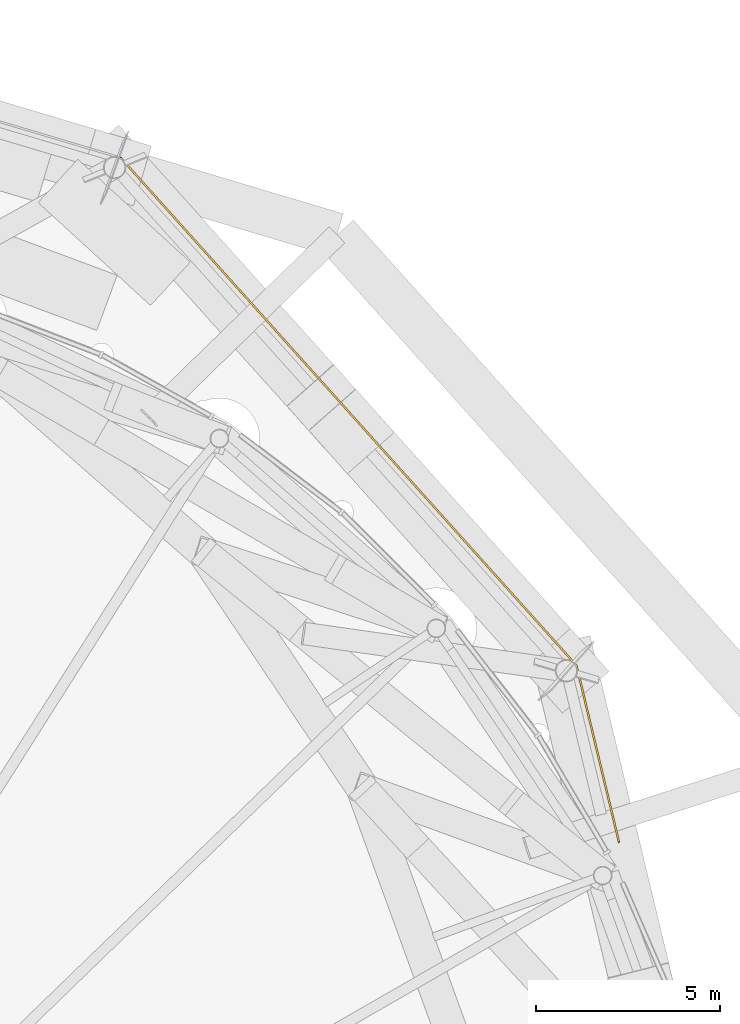
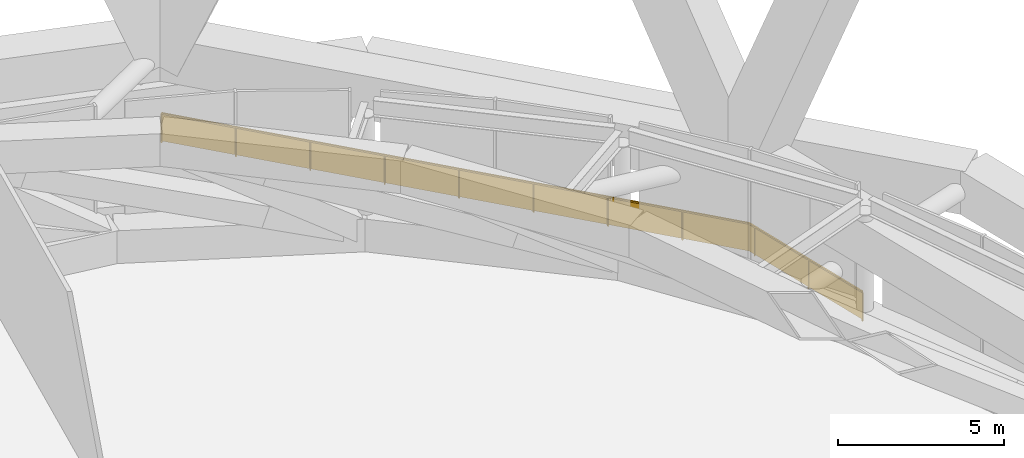
# One storey, part 50 of 51: 1 railing.
"""IFC4 building model written with IfcOpenShell, lengths in metres."""

from ifc_helpers import new_model, si_unit, direction, frame, origin, origin_2d, place, context, subcontext, project, spatial, polyline, rectangle, outline, extrude, material, type_object, element, save


model = new_model("IFC4")

# Units and contexts
model_context = context("Model", 3, precision=1e-05, world=origin(), true_north=direction((0.0, 1.0)))
body_context = subcontext(model_context, "Body", "Model", "MODEL_VIEW")
ifc_project = project(units=[si_unit("LENGTHUNIT", "METRE"), si_unit("AREAUNIT", "SQUARE_METRE"), si_unit("VOLUMEUNIT", "CUBIC_METRE"), si_unit("PLANEANGLEUNIT", "RADIAN"), si_unit("MASSUNIT", "GRAM", prefix="KILO")], contexts=[model_context])

# Site, building, storey
site_placement = place(None, origin())
site = spatial("IfcSite", under=ifc_project, at=site_placement, CompositionType="ELEMENT")
building_placement = place(site_placement, origin())
building = spatial("IfcBuilding", under=site, at=building_placement, Name="Nagisa Residences", CompositionType="ELEMENT")
storey_placement = place(building_placement, frame((0.0, 0.0, 67.699951171875)))
storey = spatial("IfcBuildingStorey", under=building, at=storey_placement, Name="L16", CompositionType="ELEMENT", Elevation=67.699951171875)

# Railing
ifc_material = material(Name="Stainless steel 316", Category="steel")
railing_type = type_object("IfcRailingType", Name="ROOF GUARD 1100", PredefinedType="GUARDRAIL", material=ifc_material)
railing_placement = place(storey_placement, frame((15.164306640625, 35.783447265625, 0.0)))
element("IfcRailing", 1, at=railing_placement, inside=storey, type_object=railing_type, Name="guard:L16:deck00-1", PredefinedType="GUARDRAIL", context=body_context, shape_type="SweptSolid", body=[
    extrude(outline(polyline([(12.4267578125, -13.80224609375), (0.0185546875, 0.0166015625), (-0.0185546875, -0.0166015625), (12.380859375, -13.826171875), (13.535888671875, -18.627685546875), (13.584716796875, -18.615966796875), (12.4267578125, -13.80224609375)])), frame((0.0, 0.0, 1.050048828125)), (0.0, 0.0, 1.0), 0.050048828125),
    extrude(outline(polyline([(12.41015625, -13.810791015625), (0.005126953125, 0.004638671875), (-0.005126953125, -0.004638671875), (12.3974609375, -13.817626953125), (13.553466796875, -18.62353515625), (13.567138671875, -18.6201171875), (12.41015625, -13.810791015625)])), frame((0.0, 0.0, 0.06005859375)), (0.0, 0.0, 1.0), 0.989990234375),
    extrude(rectangle(XDim=0.0400390625, YDim=0.0400390625, at=origin_2d()), origin(), (0.0, 0.0, 1.0), 1.050048828125),
    extrude(rectangle(XDim=0.0400390625, YDim=0.0400390625, at=origin_2d()), frame((1.57080078125, -1.749267578125, 0.0)), (0.0, 0.0, 1.0), 1.050048828125),
    extrude(rectangle(XDim=0.0400390625, YDim=0.0400390625, at=origin_2d()), frame((3.1416015625, -3.498779296875, 0.0)), (0.0, 0.0, 1.0), 1.050048828125),
    extrude(rectangle(XDim=0.0400390625, YDim=0.0400390625, at=origin_2d()), frame((4.712158203125, -5.248046875, 0.0)), (0.0, 0.0, 1.0), 1.050048828125),
    extrude(rectangle(XDim=0.0400390625, YDim=0.0400390625, at=origin_2d()), frame((6.282958984375, -6.997314453125, 0.0)), (0.0, 0.0, 1.0), 1.050048828125),
    extrude(rectangle(XDim=0.0400390625, YDim=0.0400390625, at=origin_2d()), frame((7.853759765625, -8.746826171875, 0.0)), (0.0, 0.0, 1.0), 1.050048828125),
    extrude(rectangle(XDim=0.0400390625, YDim=0.0400390625, at=origin_2d()), frame((9.424560546875, -10.49609375, 0.0)), (0.0, 0.0, 1.0), 1.050048828125),
    extrude(rectangle(XDim=0.0400390625, YDim=0.0400390625, at=origin_2d()), frame((10.9951171875, -12.245361328125, 0.0)), (0.0, 0.0, 1.0), 1.050048828125),
    extrude(rectangle(XDim=0.0400390625, YDim=0.0400390625, at=origin_2d()), frame((12.46044921875, -14.050048828125, 0.0)), (0.0, 0.0, 1.0), 1.050048828125),
    extrude(rectangle(XDim=0.0400390625, YDim=0.0400390625, at=origin_2d()), frame((13.010498046875, -16.3359375, 0.0)), (0.0, 0.0, 1.0), 1.050048828125),
    extrude(rectangle(XDim=0.0400390625, YDim=0.0400390625, at=origin_2d()), frame((13.560302734375, -18.621826171875, 0.0)), (0.0, 0.0, 1.0), 1.050048828125),
])

save(model, "model.ifc")
